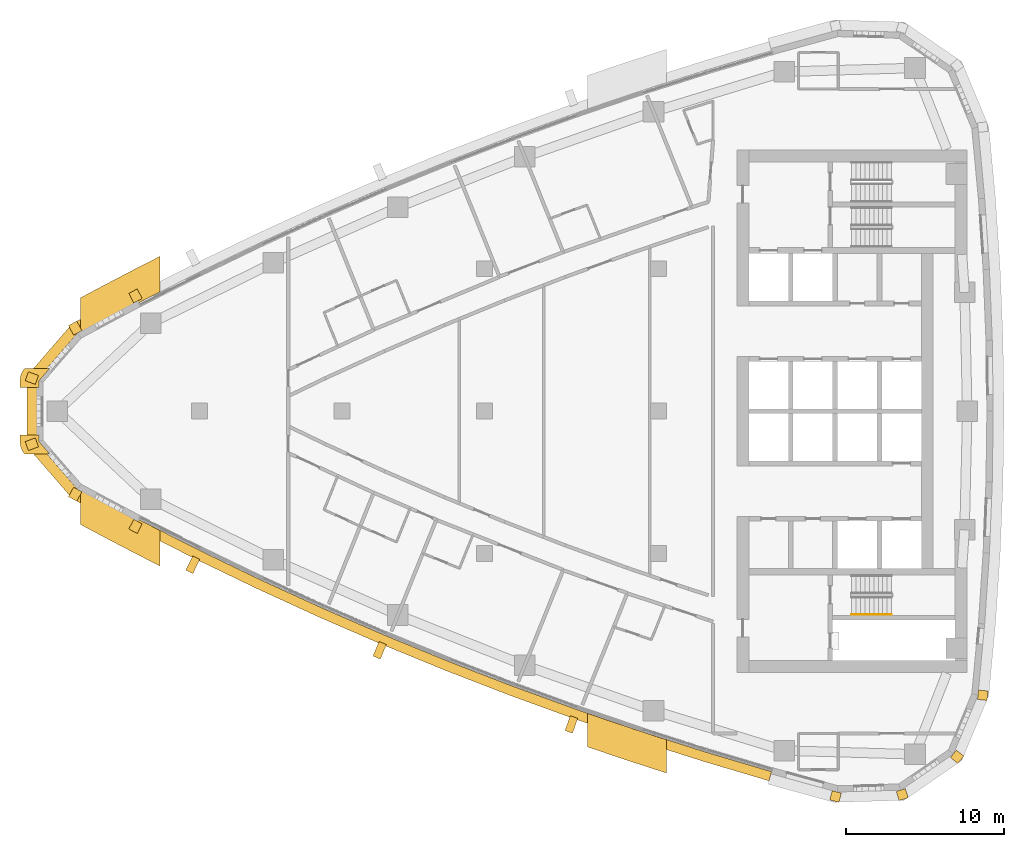
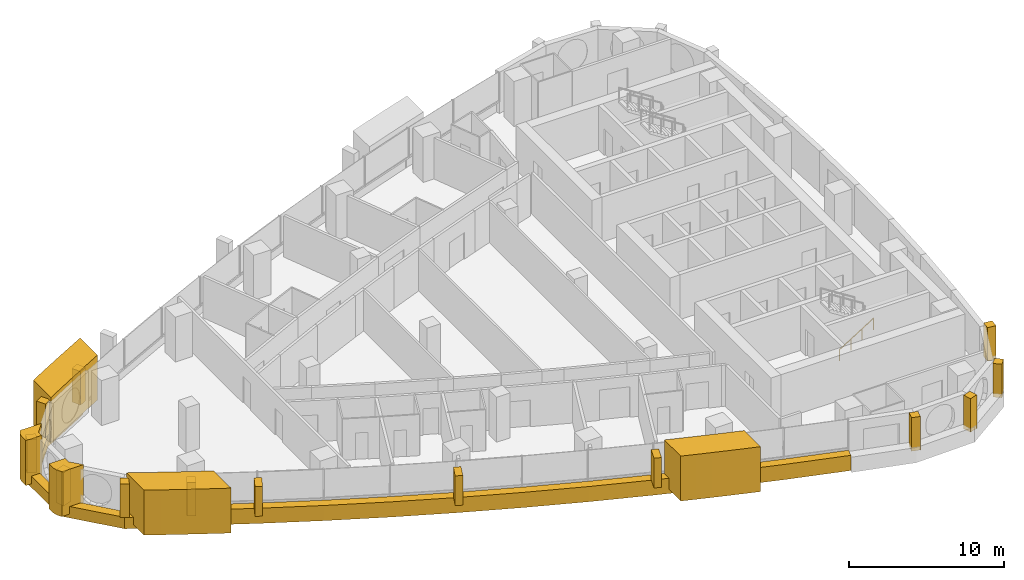
# One storey, part 14 of 17: 20 coverings, 1 railing.
"""IFC4 building model written with IfcOpenShell, lengths in metres."""

import ifcopenshell
import ifcopenshell.guid

model = None  # the IFC model being written
_history = None  # IfcOwnerHistory: only IFC2X3 demands one
_inside = {}  # id of a spatial element -> (the spatial element, [elements in it])
_under = {}  # id of a project, library or spatial element -> (it, [spatial elements below it])
_declared = {}  # id of a project -> (the project, [libraries it declares])
_typed = {}  # id of a type object -> (the type object, [elements of that type])
_made_of = {}  # id of a material, layer set ... -> (it, [elements and type objects made of it])


def new_model(schema):
    """Start an empty IFC model of exactly this schema.

    Asked for "IFC4X3", IfcOpenShell would pick the latest addendum, in which some entities
    have other attributes; the version numbers below select the first issue.
    IFC2X3 requires an IfcOwnerHistory on every rooted entity: one is made here for all.
    """
    global model, _history
    if schema == "IFC4X3":
        model = ifcopenshell.file(schema_version=(4, 3, 0, 0))
    else:
        model = ifcopenshell.file(schema=schema)
    _inside.clear()
    _under.clear()
    _declared.clear()
    _typed.clear()
    _made_of.clear()
    _history = None
    if model.schema == "IFC2X3":
        org = make("IfcOrganization", Name="unknown")
        user = make(
            "IfcPersonAndOrganization",
            ThePerson=make("IfcPerson", FamilyName="unknown"),
            TheOrganization=org,
        )
        app = make(
            "IfcApplication",
            ApplicationDeveloper=org,
            Version="unknown",
            ApplicationFullName="unknown",
            ApplicationIdentifier="unknown",
        )
        _history = make(
            "IfcOwnerHistory",
            OwningUser=user,
            OwningApplication=app,
            ChangeAction="ADDED",
            CreationDate=0,
        )
    return model


def make(cls, **values):
    """One entity of the class cls with the attributes given. An attribute that is None is left unset."""
    return model.create_entity(
        cls, **{name: value for name, value in values.items() if value is not None}
    )


def rooted(cls, **values):
    """An entity with a GlobalId (a new one), such as an element, a storey or a relation."""
    return make(cls, GlobalId=ifcopenshell.guid.new(), OwnerHistory=_history, **values)


def si_unit(unit_type, name, prefix=None):
    """IfcSIUnit, for example si_unit("LENGTHUNIT", "METRE", prefix="MILLI")."""
    return make("IfcSIUnit", UnitType=unit_type, Prefix=prefix, Name=name)


def assignment(units):
    """IfcUnitAssignment: the units of a project."""
    return None if units is None else make("IfcUnitAssignment", Units=units)


def point(xyz):
    """IfcCartesianPoint."""
    return None if xyz is None else make("IfcCartesianPoint", Coordinates=xyz)


def direction(xyz):
    """IfcDirection."""
    return None if xyz is None else make("IfcDirection", DirectionRatios=xyz)


def frame(location, z_axis=None, x_axis=None):
    """IfcAxis2Placement3D, a coordinate frame: its origin and axes. An axis left out is left unset."""
    return make(
        "IfcAxis2Placement3D",
        Location=point(location),
        Axis=direction(z_axis),
        RefDirection=direction(x_axis),
    )


def frame_2d(location, x_axis=None):
    """IfcAxis2Placement2D, a coordinate frame in the plane: its origin and x axis."""
    return make(
        "IfcAxis2Placement2D", Location=point(location), RefDirection=direction(x_axis)
    )


def origin():
    """The frame at (0, 0, 0) with its axes left unset."""
    return frame((0.0, 0.0, 0.0))


def origin_2d():
    """The frame at (0, 0) in the plane with its x axis left unset."""
    return frame_2d((0.0, 0.0))


def place(relative_to, where):
    """IfcLocalPlacement: puts the frame where relative to a parent placement (None: the world)."""
    return make(
        "IfcLocalPlacement", PlacementRelTo=relative_to, RelativePlacement=where
    )


def context(
    kind, dimensions, precision=None, world=None, true_north=None, identifier=None
):
    """IfcGeometricRepresentationContext, for example the 3D "Model" context."""
    return make(
        "IfcGeometricRepresentationContext",
        ContextIdentifier=identifier,
        ContextType=kind,
        CoordinateSpaceDimension=dimensions,
        Precision=precision,
        WorldCoordinateSystem=world,
        TrueNorth=true_north,
    )


def subcontext(parent, identifier, kind, view, scale=None):
    """IfcGeometricRepresentationSubContext, for example "Body" below "Model"."""
    return make(
        "IfcGeometricRepresentationSubContext",
        ContextIdentifier=identifier,
        ContextType=kind,
        ParentContext=parent,
        TargetScale=scale,
        TargetView=view,
    )


def project(units=None, contexts=None):
    """IfcProject with its units and contexts."""
    return rooted(
        "IfcProject",
        Name="project",
        RepresentationContexts=contexts,
        UnitsInContext=assignment(units),
    )


def spatial(cls, under=None, at=None, **own):
    """A site, building, storey or space (cls), placed at a placement, below another one or the project."""
    s = rooted(cls, ObjectPlacement=at, **own)
    if under is not None:
        _under.setdefault(under.id(), (under, []))[1].append(s)
    return s


def polyline(points):
    """IfcPolyline through the points."""
    return make("IfcPolyline", Points=[point(p) for p in points])


def profile(cls, at=None, kind="AREA", **sizes):
    """A parametric profile (cls). Its sizes go by their IFC names, for example OverallWidth=200.0."""
    return make(cls, ProfileType=kind, Position=at, **sizes)


def rectangle(**sizes):
    """IfcRectangleProfileDef."""
    return profile("IfcRectangleProfileDef", **sizes)


def circle(**sizes):
    """IfcCircleProfileDef."""
    return profile("IfcCircleProfileDef", **sizes)


def outline(outer, holes=None, kind="AREA"):
    """IfcArbitraryClosedProfileDef: a profile drawn as a closed curve; with holes, ...WithVoids."""
    if holes is None:
        return make("IfcArbitraryClosedProfileDef", ProfileType=kind, OuterCurve=outer)
    return make(
        "IfcArbitraryProfileDefWithVoids",
        ProfileType=kind,
        OuterCurve=outer,
        InnerCurves=holes,
    )


def extrude(swept, where, along, depth):
    """IfcExtrudedAreaSolid: the profile swept, set in the frame where, extruded along a direction by depth."""
    return make(
        "IfcExtrudedAreaSolid",
        SweptArea=swept,
        Position=where,
        ExtrudedDirection=direction(along),
        Depth=depth,
    )


def shape(context_of_items, identifier, shape_type, items):
    """IfcShapeRepresentation: the items that make up one representation, for example the "Body"."""
    return make(
        "IfcShapeRepresentation",
        ContextOfItems=context_of_items,
        RepresentationIdentifier=identifier,
        RepresentationType=shape_type,
        Items=items,
    )


def material(Name=None, Category=None):
    """IfcMaterial."""
    return make("IfcMaterial", Name=Name, Category=Category)


def layer(
    of_material, thickness, ventilated=None, Name=None, Category=None, Priority=None
):
    """IfcMaterialLayer: one layer of a wall or slab, of a material (None: an air gap)."""
    return make(
        "IfcMaterialLayer",
        Material=of_material,
        LayerThickness=thickness,
        IsVentilated=ventilated,
        Name=Name,
        Category=Category,
        Priority=Priority,
    )


def layer_set(layers, Name=None):
    """IfcMaterialLayerSet."""
    return make("IfcMaterialLayerSet", MaterialLayers=layers, LayerSetName=Name)


def made_of(thing, what):
    """Note that an element or type object is made of a material, layer set ...; save() writes the relation."""
    if what is not None:
        _made_of.setdefault(what.id(), (what, []))[1].append(thing)
    return thing


def type_object(cls, material=None, **own):
    """A type object (cls), such as IfcWallType, which elements share."""
    return made_of(rooted(cls, **own), material)


def element(
    cls,
    number,
    at=None,
    inside=None,
    cuts=None,
    type_object=None,
    material=None,
    context=None,
    identifier="Body",
    shape_type=None,
    held_by="IfcProductDefinitionShape",
    body=None,
    shapes=None,
    **own,
):
    """One element of the class cls, such as IfcWall. Its Tag is "e" and its number.

    at: its placement. inside: the storey or other place that contains it. cuts: it is an
    opening in that element (IfcRelVoidsElement). A single representation is given by context,
    identifier, shape_type and body (its items); several are given by shapes. held_by: the class
    of the entity that holds the representations. save() writes the other relations.
    """
    e = rooted(cls, Tag="e%d" % number, ObjectPlacement=at, **own)
    if body is not None:
        shapes = [shape(context, identifier, shape_type, body)]
    if shapes is not None:
        e.Representation = make(held_by, Representations=shapes)
    if inside is not None:
        _inside.setdefault(inside.id(), (inside, []))[1].append(e)
    if cuts is not None:
        rooted(
            "IfcRelVoidsElement", RelatingBuildingElement=cuts, RelatedOpeningElement=e
        )
    if type_object is not None:
        _typed.setdefault(type_object.id(), (type_object, []))[1].append(e)
    return made_of(e, material)


def aggregate(whole, parts):
    """IfcRelAggregates: a whole, such as a stair, and the parts it consists of."""
    return rooted("IfcRelAggregates", RelatingObject=whole, RelatedObjects=parts)


def save(model, path):
    """Write the relations noted so far, then the file.

    IfcRelAggregates (storeys below a building ...), IfcRelContainedInSpatialStructure (elements
    in a storey), IfcRelDefinesByType, IfcRelAssociatesMaterial and IfcRelDeclares: one each for
    every whole, place, type object, material and project.
    """
    for whole, parts in _under.values():
        aggregate(whole, parts)
    for where, things in _inside.values():
        rooted(
            "IfcRelContainedInSpatialStructure",
            RelatedElements=things,
            RelatingStructure=where,
        )
    for kind, things in _typed.values():
        rooted("IfcRelDefinesByType", RelatedObjects=things, RelatingType=kind)
    for what, things in _made_of.values():
        rooted("IfcRelAssociatesMaterial", RelatedObjects=things, RelatingMaterial=what)
    for by, libraries in _declared.values():
        rooted("IfcRelDeclares", RelatingContext=by, RelatedDefinitions=libraries)
    model.write(path)


model = new_model("IFC4")

# Units and contexts
model_context = context("Model", 3, precision=1e-05, world=origin(), true_north=direction((0.0, 1.0)))
body_context = subcontext(model_context, "Body", "Model", "MODEL_VIEW")
ifc_project = project(units=[si_unit("LENGTHUNIT", "METRE"), si_unit("AREAUNIT", "SQUARE_METRE"), si_unit("VOLUMEUNIT", "CUBIC_METRE"), si_unit("PLANEANGLEUNIT", "RADIAN"), si_unit("MASSUNIT", "GRAM", prefix="KILO")], contexts=[model_context])

# Site, building, storey
site_placement = place(None, origin())
site = spatial("IfcSite", under=ifc_project, at=site_placement, CompositionType="ELEMENT")
building_placement = place(site_placement, origin())
building = spatial("IfcBuilding", under=site, at=building_placement, Name="Ostrand Prow Hotel Tower", CompositionType="ELEMENT")
storey_placement = place(building_placement, frame((0.0, 0.0, 200.35009765625)))
storey = spatial("IfcBuildingStorey", under=building, at=storey_placement, Name="L50", CompositionType="ELEMENT", Elevation=200.35009765625)

# Coverings
ifc_material_1 = material(Name="Bronze anodised aluminium cladding", Category="aluminium")
ifc_layer_1 = layer(ifc_material_1, 0.60009765625)
ifc_layer_set_1 = layer_set([ifc_layer_1], Name="Bronze anodised aluminium cladding")
covering_type_1 = type_object("IfcCoveringType", Name="Bronze prow band 899x600", PredefinedType="CLADDING", material=ifc_layer_set_1)
covering_1_placement = place(storey_placement, frame((0.0, 0.0, -0.300048828125)))
element("IfcCovering", 1, at=covering_1_placement, inside=storey, type_object=covering_type_1, Name="Bronze prow band", PredefinedType="CLADDING", context=body_context, shape_type="SweptSolid", body=[
    extrude(outline(polyline([(11.8037109375, 7.58154296875), (7.9873046875, 5.546630859375), (5.09521484375, 2.20849609375), (5.09521484375, -2.20849609375), (7.9873046875, -5.546630859375), (11.8037109375, -7.58154296875), (12.117431640625, -6.978515625), (8.3134765625, -4.949951171875), (5.732421875, -1.970703125), (5.732421875, 1.970703125), (8.3134765625, 4.949951171875), (12.117431640625, 6.978515625), (11.8037109375, 7.58154296875)])), origin(), (0.0, 0.0, 1.0), 0.89990234375),
])
ifc_material_2 = material(Name="Bronze anodised aluminium cladding", Category="aluminium")
ifc_layer_2 = layer(ifc_material_2, 0.60009765625)
ifc_layer_set_2 = layer_set([ifc_layer_2], Name="Bronze anodised aluminium cladding")
covering_type_2 = type_object("IfcCoveringType", Name="Bronze spandrel band 1200x600", PredefinedType="CLADDING", material=ifc_layer_set_2)
covering_2_placement = place(storey_placement, frame((0.0, 0.0, -0.300048828125)))
element("IfcCovering", 2, at=covering_2_placement, inside=storey, type_object=covering_type_2, Name="Spandrel band S1", PredefinedType="CLADDING", context=body_context, shape_type="SweptSolid", body=[
    extrude(outline(polyline([(11.9052734375, -7.38623046875), (15.757568359375, -9.341796875), (19.648681640625, -11.219482421875), (23.57666015625, -13.0185546875), (27.5400390625, -14.738037109375), (31.537353515625, -16.37744140625), (35.566650390625, -17.93603515625), (39.626708984375, -19.4130859375), (43.7158203125, -20.80810546875), (47.831787109375, -22.12060546875), (51.9736328125, -23.35009765625), (52.138427734375, -22.773193359375), (48.00830078125, -21.547119140625), (43.90380859375, -20.23828125), (39.826171875, -18.84716796875), (35.777587890625, -17.374267578125), (31.759521484375, -15.820068359375), (27.773193359375, -14.185302734375), (23.821044921875, -12.470458984375), (19.90380859375, -10.676513671875), (16.023681640625, -8.80419921875), (12.18212890625, -6.85400390625), (11.9052734375, -7.38623046875)])), origin(), (0.0, 0.0, 1.0), 1.199951171875),
])
ifc_material_3 = material(Name="Limestone cladding", Category="masonry")
ifc_layer_3 = layer(ifc_material_3, 5.0)
ifc_layer_set_3 = layer_set([ifc_layer_3], Name="Limestone cladding")
covering_type_3 = type_object("IfcCoveringType", Name="Portal jamb pilaster limestone", PredefinedType="CLADDING", material=ifc_layer_set_3)
covering_3_placement = place(storey_placement, origin())
element("IfcCovering", 3, at=covering_3_placement, inside=storey, type_object=covering_type_3, Name="Portal jamb SA L50", PredefinedType="CLADDING", context=body_context, shape_type="SweptSolid", body=[
    extrude(outline(polyline([(8.5, -4.89208984375), (8.5, -7.1669921875), (9.5, -7.702392578125), (10.5, -8.231201171875), (11.5, -8.75341796875), (12.5, -9.268798828125), (13.5, -9.777587890625), (13.5, -7.533935546875), (12.5, -7.01904296875), (11.5, -6.497314453125), (10.5, -5.968994140625), (9.5, -5.43408203125), (8.5, -4.89208984375)])), origin(), (0.0, 0.0, 1.0), 3.5498046875),
])
covering_4_placement = place(storey_placement, origin())
element("IfcCovering", 4, at=covering_4_placement, inside=storey, type_object=covering_type_3, Name="Portal jamb SB L50", PredefinedType="CLADDING", context=body_context, shape_type="SweptSolid", body=[
    extrude(outline(polyline([(40.5, -19.08349609375), (40.5, -21.200439453125), (41.5, -21.542724609375), (42.5, -21.879638671875), (43.5, -22.211181640625), (44.5, -22.537109375), (45.5, -22.85791015625), (45.5, -20.75830078125), (44.5, -20.43408203125), (43.5, -20.104736328125), (42.5, -19.769775390625), (41.5, -19.429443359375), (40.5, -19.08349609375)])), origin(), (0.0, 0.0, 1.0), 3.5498046875),
])
covering_5_placement = place(storey_placement, origin())
element("IfcCovering", 5, at=covering_5_placement, inside=storey, type_object=covering_type_3, Name="Portal jamb NA L50", PredefinedType="CLADDING", context=body_context, shape_type="SweptSolid", body=[
    extrude(outline(polyline([(8.5, 4.89208984375), (9.5, 5.43408203125), (10.5, 5.968994140625), (11.5, 6.497314453125), (12.5, 7.01904296875), (13.5, 7.533935546875), (13.5, 9.777587890625), (12.5, 9.268798828125), (11.5, 8.75341796875), (10.5, 8.231201171875), (9.5, 7.702392578125), (8.5, 7.1669921875), (8.5, 4.89208984375)])), origin(), (0.0, 0.0, 1.0), 3.5498046875),
])
ifc_material_4 = material(Name="Limestone cladding", Category="masonry")
ifc_layer_4 = layer(ifc_material_4, 0.5)
ifc_layer_set_4 = layer_set([ifc_layer_4], Name="Limestone cladding")
covering_type_4 = type_object("IfcCoveringType", Name="Precast stone fin 500x900", PredefinedType="CLADDING", material=ifc_layer_set_4)
for number, where, z_axis, x_axis, name in (
    (6, (15.802001953125, -9.252197265625, 0.89990234375), (0.0, 0.0, 1.0), (-0.443596720488, -0.89622650573, 0.0), "Stone fin S 2"),
    (7, (27.578857421875, -14.64599609375, 0.89990234375), (0.0, 0.0, 1.0), (-0.388668122057, -0.921377822013, 0.0), "Stone fin S 5"),
    (8, (39.659912109375, -19.31884765625, 0.89990234375), (0.0, 0.0, 1.0), (-0.332296445508, -0.943174995588, 0.0), "Stone fin S 8"),
):
    element("IfcCovering", number, at=place(storey_placement, frame(where, z_axis=z_axis, x_axis=x_axis)), inside=storey, type_object=covering_type_4, Name=name, PredefinedType="CLADDING", context=body_context, shape_type="SweptSolid", body=[
        extrude(rectangle(XDim=1.0, YDim=0.5, at=frame_2d((0.5, 0.0))), origin(), (0.0, 0.0, 1.0), 2.35009765625),
    ])
ifc_material_5 = material(Name="Limestone cladding", Category="masonry")
ifc_layer_5 = layer(ifc_material_5, 0.60009765625)
ifc_layer_set_5 = layer_set([ifc_layer_5], Name="Limestone cladding")
covering_type_5 = type_object("IfcCoveringType", Name="Precast stone prow rib 600x600", PredefinedType="CLADDING", material=ifc_layer_set_5)
covering_6_placement = place(storey_placement, frame((12.117431640625, 6.978515625, 0.599853515625), z_axis=(0.0, 0.0, 1.0), x_axis=(-0.461522357319, 0.887128577882, 0.0)))
element("IfcCovering", 9, at=covering_6_placement, inside=storey, type_object=covering_type_5, Name="Stone prow rib 1", PredefinedType="CLADDING", context=body_context, shape_type="SweptSolid", body=[
    extrude(rectangle(XDim=0.6796875, YDim=0.60009765625, at=frame_2d((0.33984375, 0.0))), origin(), (0.0, 0.0, 1.0), 2.650146484375),
])
covering_7_placement = place(storey_placement, frame((8.3134765625, 4.949951171875, 0.599853515625), z_axis=(0.0, 0.0, 1.0), x_axis=(-0.479656876283, 0.877456141943, 0.0)))
element("IfcCovering", 10, at=covering_7_placement, inside=storey, type_object=covering_type_5, Name="Stone prow rib 2", PredefinedType="CLADDING", context=body_context, shape_type="SweptSolid", body=[
    extrude(rectangle(XDim=0.679931640625, YDim=0.60009765625, at=frame_2d((0.33984375, 0.0))), origin(), (0.0, 0.0, 1.0), 2.650146484375),
])
for number, where, z_axis, x_axis, name in (
    (11, (5.732421875, 1.970703125, 0.599853515625), (0.0, 0.0, 1.0), (-0.93688855374, 0.349628142277, 0.0), "Stone prow rib 3"),
    (12, (5.732421875, -1.970703125, 0.599853515625), (0.0, 0.0, 1.0), (-0.93688855374, -0.349628142277, 0.0), "Stone prow rib 4"),
):
    element("IfcCovering", number, at=place(storey_placement, frame(where, z_axis=z_axis, x_axis=x_axis)), inside=storey, type_object=covering_type_5, Name=name, PredefinedType="CLADDING", context=body_context, shape_type="SweptSolid", body=[
        extrude(rectangle(XDim=0.68017578125, YDim=0.60009765625, at=frame_2d((0.340087890625, 0.0))), origin(), (0.0, 0.0, 1.0), 2.650146484375),
    ])
covering_8_placement = place(storey_placement, frame((8.3134765625, -4.949951171875, 0.599853515625), z_axis=(0.0, 0.0, 1.0), x_axis=(-0.479656876283, -0.877456141943, 0.0)))
element("IfcCovering", 13, at=covering_8_placement, inside=storey, type_object=covering_type_5, Name="Stone prow rib 5", PredefinedType="CLADDING", context=body_context, shape_type="SweptSolid", body=[
    extrude(rectangle(XDim=0.679931640625, YDim=0.60009765625, at=frame_2d((0.33984375, 0.0))), origin(), (0.0, 0.0, 1.0), 2.650146484375),
])
covering_9_placement = place(storey_placement, frame((12.117431640625, -6.978515625, 0.599853515625), z_axis=(0.0, 0.0, 1.0), x_axis=(-0.461522357319, -0.887128577882, 0.0)))
element("IfcCovering", 14, at=covering_9_placement, inside=storey, type_object=covering_type_5, Name="Stone prow rib 6", PredefinedType="CLADDING", context=body_context, shape_type="SweptSolid", body=[
    extrude(rectangle(XDim=0.6796875, YDim=0.60009765625, at=frame_2d((0.33984375, 0.0))), origin(), (0.0, 0.0, 1.0), 2.650146484375),
])
for number, where, z_axis, x_axis, name in (
    (15, (56.256591796875, -24.05126953125, 0.599853515625), (0.0, 0.0, 1.0), (-0.255154261231, -0.966900358349, 0.0), "Stone corner rib 2a"),
    (16, (60.297607421875, -23.935302734375, 0.599853515625), (0.0, 0.0, 1.0), (0.310484329644, -0.950578498098, 0.0), "Stone corner rib 3a"),
    (17, (63.6279296875, -21.643798828125, 0.599853515625), (0.0, 0.0, 1.0), (0.776922530767, -0.62959620487, 0.0), "Stone corner rib 4a"),
    (18, (65.18017578125, -17.9111328125, 0.599853515625), (0.0, 0.0, 1.0), (0.994255138911, -0.107036062846, 0.0), "Stone corner rib 4b"),
):
    element("IfcCovering", number, at=place(storey_placement, frame(where, z_axis=z_axis, x_axis=x_axis)), inside=storey, type_object=covering_type_5, Name=name, PredefinedType="CLADDING", context=body_context, shape_type="SweptSolid", body=[
        extrude(rectangle(XDim=0.599853515625, YDim=0.60009765625, at=frame_2d((0.2998046875, 0.0))), origin(), (0.0, 0.0, 1.0), 2.650146484375),
    ])
ifc_material_6 = material(Name="Limestone cladding", Category="masonry")
ifc_layer_6 = layer(ifc_material_6, 3.0)
ifc_layer_set_6 = layer_set([ifc_layer_6], Name="Limestone cladding")
covering_type_6 = type_object("IfcCoveringType", Name="Prow nose pier limestone", PredefinedType="CLADDING", material=ifc_layer_set_6)
covering_10_placement = place(storey_placement, origin())
element("IfcCovering", 19, at=covering_10_placement, inside=storey, type_object=covering_type_6, Name="Prow spine fin N L50", PredefinedType="CLADDING", context=body_context, shape_type="SweptSolid", body=[
    extrude(outline(polyline([(4.663818359375, 1.921875), (4.663818359375, 1.5), (5.864013671875, 1.5), (5.864013671875, 1.921875), (6.5380859375, 2.699951171875), (4.950927734375, 2.699951171875), (4.881591796875, 2.611083984375), (4.816650390625, 2.507568359375), (4.762451171875, 2.39794921875), (4.719482421875, 2.283203125), (4.688720703125, 2.164794921875), (4.670166015625, 2.0439453125), (4.663818359375, 1.921875)])), origin(), (0.0, 0.0, 1.0), 3.5498046875),
])
covering_11_placement = place(storey_placement, origin())
element("IfcCovering", 20, at=covering_11_placement, inside=storey, type_object=covering_type_6, Name="Prow spine fin S L50", PredefinedType="CLADDING", context=body_context, shape_type="SweptSolid", body=[
    extrude(outline(polyline([(4.881591796875, -2.611083984375), (4.950927734375, -2.699951171875), (6.5380859375, -2.699951171875), (5.864013671875, -1.921875), (5.864013671875, -1.5), (4.663818359375, -1.5), (4.663818359375, -1.921875), (4.670166015625, -2.0439453125), (4.688720703125, -2.164794921875), (4.719482421875, -2.283203125), (4.762451171875, -2.39794921875), (4.816650390625, -2.507568359375), (4.881591796875, -2.611083984375)])), origin(), (0.0, 0.0, 1.0), 3.5498046875),
])

# Railing
ifc_material_7 = material(Name="Stainless steel", Category="steel")
railing_type = type_object("IfcRailingType", Name="Stair handrail 900", PredefinedType="HANDRAIL", material=ifc_material_7)
railing_placement = place(storey_placement, frame((57.199951171875, -12.85009765625, 0.177490234375)))
element("IfcRailing", 21, at=railing_placement, inside=storey, type_object=railing_type, Name="L50 ST2C stair handrail 1", PredefinedType="HANDRAIL", context=body_context, shape_type="SweptSolid", body=[
    extrude(circle(Radius=0.02392578125, at=origin_2d()), frame((0.0, 0.0, 0.8759765625), z_axis=(0.84460694969, 0.0, 0.535386869969), x_axis=(0.0, 1.0, 0.0)), (0.0, 0.0, 1.0), 2.983642578125),
    extrude(circle(Radius=0.02099609375, at=origin_2d()), origin(), (0.0, 0.0, 1.0), 0.851806640625),
    extrude(circle(Radius=0.02099609375, at=origin_2d()), frame((0.840087890625, 0.0, 0.532470703125)), (0.0, 0.0, 1.0), 0.851806640625),
    extrude(circle(Radius=0.02099609375, at=origin_2d()), frame((1.679931640625, 0.0, 1.06494140625)), (0.0, 0.0, 1.0), 0.851806640625),
    extrude(circle(Radius=0.02099609375, at=origin_2d()), frame((2.52001953125, 0.0, 1.597412109375)), (0.0, 0.0, 1.0), 0.851806640625),
])

save(model, "model.ifc")
